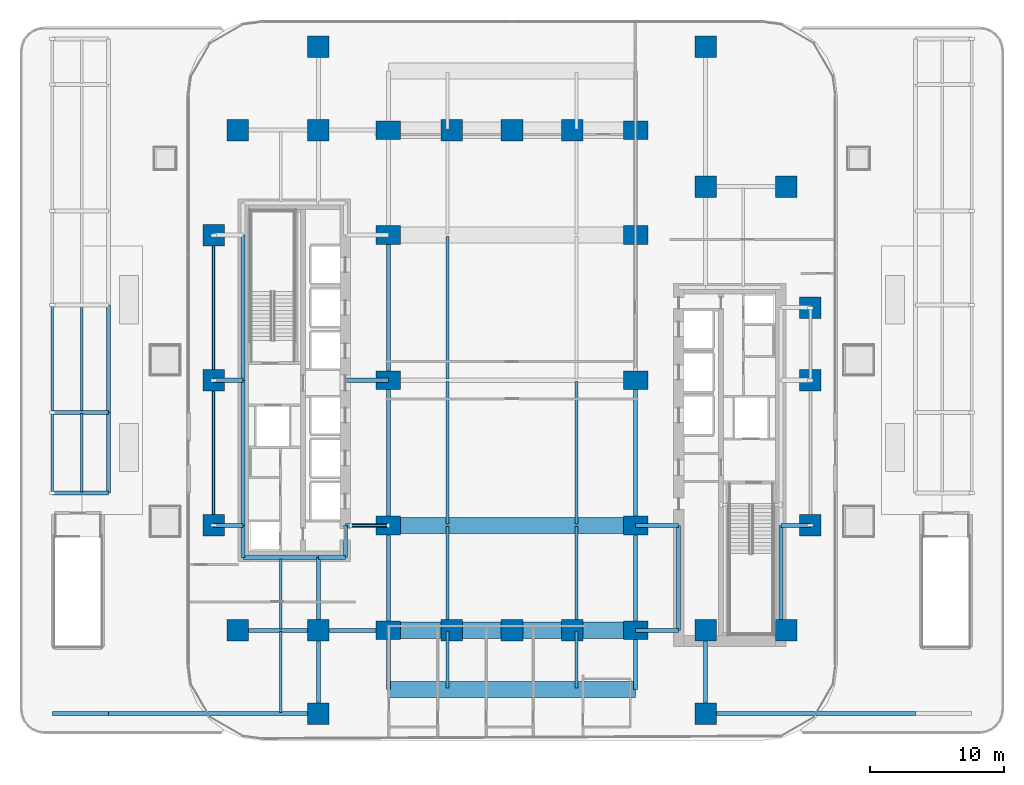
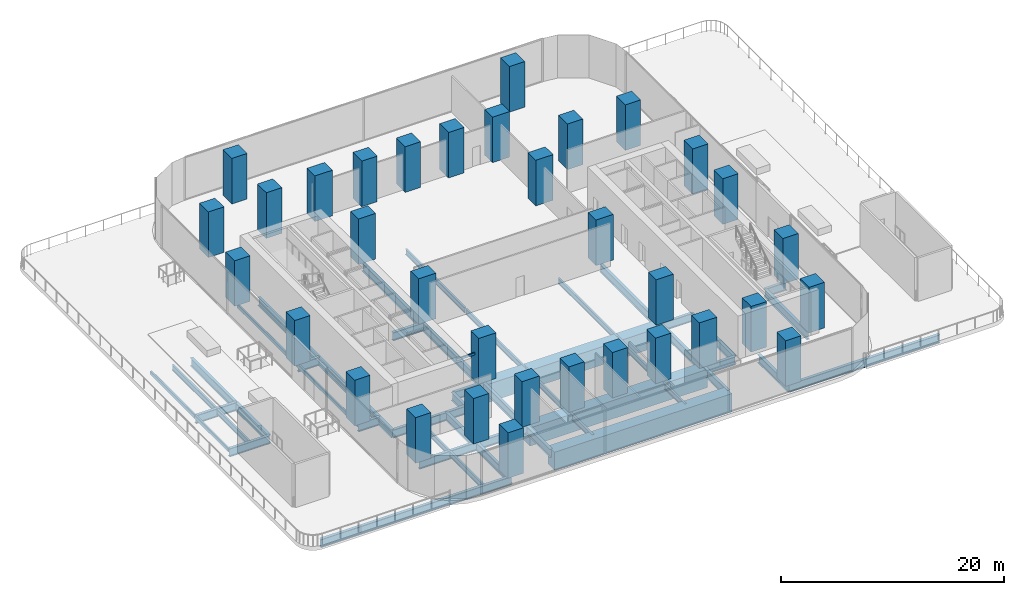
# One storey, part 1 of 21: 53 beams, 34 columns.
"""IFC4 building model written with IfcOpenShell, lengths in metres."""

from ifc_helpers import new_model, si_unit, direction, frame, origin, origin_2d, place, context, subcontext, project, spatial, rectangle, hollow_rectangle, i_section, extrude, material, material_profile, profile_set, type_object, element, save


model = new_model("IFC4")

# Units and contexts
model_context = context("Model", 3, precision=1e-05, world=origin(), true_north=direction((0.0, 1.0)))
body_context = subcontext(model_context, "Body", "Model", "MODEL_VIEW")
ifc_project = project(units=[si_unit("LENGTHUNIT", "METRE"), si_unit("AREAUNIT", "SQUARE_METRE"), si_unit("VOLUMEUNIT", "CUBIC_METRE"), si_unit("PLANEANGLEUNIT", "RADIAN"), si_unit("MASSUNIT", "GRAM", prefix="KILO")], contexts=[model_context])

# Site, building, storey
site_placement = place(None, origin())
site = spatial("IfcSite", under=ifc_project, at=site_placement, CompositionType="ELEMENT")
building_placement = place(site_placement, origin())
building = spatial("IfcBuilding", under=site, at=building_placement, Name="Khairoan Windgate Tower", CompositionType="ELEMENT")
storey_placement = place(building_placement, frame((0.0, 0.0, 21.0)))
storey = spatial("IfcBuildingStorey", under=building, at=storey_placement, Name="L05", CompositionType="ELEMENT", Elevation=21.0)

# Columns
ifc_material_1 = material(Name="Concrete C70/85", Category="concrete")
ifc_material_profile_1 = material_profile(ifc_material_1, rectangle(XDim=1.800048828125, YDim=1.39990234375, at=origin_2d()))
ifc_profile_set_1 = profile_set([ifc_material_profile_1], Name="Concrete C70/85")
column_type_1 = type_object("IfcColumnType", Name="Column C-AP1 RC1800x1400", PredefinedType="COLUMN", material=ifc_profile_set_1)
for number, where, z_axis, x_axis, name in (
    (1, (-9.199951171875, -18.60009765625, 0.0), (0.0, 0.0, 1.0), (1.0, 0.0, 0.0), "Column L05-01"),
    (2, (-9.199951171875, -10.800048828125, 0.0), (0.0, 0.0, 1.0), (1.0, 0.0, 0.0), "Column L05-02"),
    (3, (-9.199951171875, 0.0, 0.0), (0.0, 0.0, 1.0), (1.0, 0.0, 0.0), "Column L05-03"),
    (4, (-9.199951171875, 10.800048828125, 0.0), (0.0, 0.0, 1.0), (1.0, 0.0, 0.0), "Column L05-04"),
    (5, (-9.199951171875, 18.60009765625, 0.0), (0.0, 0.0, 1.0), (1.0, 0.0, 0.0), "Column L05-05"),
    (6, (9.199951171875, -18.60009765625, 0.0), (0.0, 0.0, 1.0), (1.0, 0.0, 0.0), "Column L05-06"),
    (7, (9.199951171875, -10.800048828125, 0.0), (0.0, 0.0, 1.0), (1.0, 0.0, 0.0), "Column L05-07"),
    (8, (9.199951171875, 0.0, 0.0), (0.0, 0.0, 1.0), (1.0, 0.0, 0.0), "Column L05-08"),
    (9, (9.199951171875, 10.800048828125, 0.0), (0.0, 0.0, 1.0), (1.0, 0.0, 0.0), "Column L05-09"),
    (10, (9.199951171875, 18.60009765625, 0.0), (0.0, 0.0, 1.0), (1.0, 0.0, 0.0), "Column L05-10"),
):
    element("IfcColumn", number, at=place(storey_placement, frame(where, z_axis=z_axis, x_axis=x_axis)), inside=storey, type_object=column_type_1, Name=name, PredefinedType="COLUMN", context=body_context, shape_type="SweptSolid", body=[
        extrude(rectangle(XDim=1.800048828125, YDim=1.39990234375, at=origin_2d()), origin(), (0.0, 0.0, 1.0), 5.0),
    ])
ifc_material_2 = material(Name="Concrete C70/85", Category="concrete")
ifc_material_profile_2 = material_profile(ifc_material_2, rectangle(XDim=1.60009765625, YDim=1.60009765625, at=origin_2d()))
ifc_profile_set_2 = profile_set([ifc_material_profile_2], Name="Concrete C70/85")
column_type_2 = type_object("IfcColumnType", Name="Column C-T1 RC1600x1600", PredefinedType="COLUMN", material=ifc_profile_set_2)
for number, where, z_axis, x_axis, name in (
    (11, (-20.39990234375, -18.60009765625, 0.0), (0.0, 0.0, 1.0), (1.0, 0.0, 0.0), "Column L05-11"),
    (12, (-20.39990234375, 18.60009765625, 0.0), (0.0, 0.0, 1.0), (1.0, 0.0, 0.0), "Column L05-12"),
    (13, (20.39990234375, -18.60009765625, 0.0), (0.0, 0.0, 1.0), (1.0, 0.0, 0.0), "Column L05-13"),
    (14, (20.39990234375, 14.39990234375, 0.0), (0.0, 0.0, 1.0), (1.0, 0.0, 0.0), "Column L05-14"),
    (15, (-14.39990234375, -18.60009765625, 0.0), (0.0, 0.0, 1.0), (1.0, 0.0, 0.0), "Column L05-15"),
    (16, (-14.39990234375, 18.60009765625, 0.0), (0.0, 0.0, 1.0), (1.0, 0.0, 0.0), "Column L05-16"),
    (17, (14.39990234375, -18.60009765625, 0.0), (0.0, 0.0, 1.0), (1.0, 0.0, 0.0), "Column L05-17"),
    (18, (14.39990234375, 14.39990234375, 0.0), (0.0, 0.0, 1.0), (1.0, 0.0, 0.0), "Column L05-18"),
    (19, (-4.5, -18.60009765625, 0.0), (0.0, 0.0, 1.0), (1.0, 0.0, 0.0), "Column L05-19"),
    (20, (0.0, -18.60009765625, 0.0), (0.0, 0.0, 1.0), (1.0, 0.0, 0.0), "Column L05-20"),
    (21, (4.5, -18.60009765625, 0.0), (0.0, 0.0, 1.0), (1.0, 0.0, 0.0), "Column L05-21"),
    (22, (-4.5, 18.60009765625, 0.0), (0.0, 0.0, 1.0), (1.0, 0.0, 0.0), "Column L05-22"),
    (23, (0.0, 18.60009765625, 0.0), (0.0, 0.0, 1.0), (1.0, 0.0, 0.0), "Column L05-23"),
    (24, (4.5, 18.60009765625, 0.0), (0.0, 0.0, 1.0), (1.0, 0.0, 0.0), "Column L05-24"),
    (25, (-22.199951171875, -10.800048828125, 0.0), (0.0, 0.0, 1.0), (1.0, 0.0, 0.0), "Column L05-25"),
    (26, (-22.199951171875, 0.0, 0.0), (0.0, 0.0, 1.0), (1.0, 0.0, 0.0), "Column L05-26"),
    (27, (-22.199951171875, 10.800048828125, 0.0), (0.0, 0.0, 1.0), (1.0, 0.0, 0.0), "Column L05-27"),
    (28, (22.199951171875, -10.800048828125, 0.0), (0.0, 0.0, 1.0), (1.0, 0.0, 0.0), "Column L05-28"),
    (29, (22.199951171875, 0.0, 0.0), (0.0, 0.0, 1.0), (1.0, 0.0, 0.0), "Column L05-29"),
    (30, (22.199951171875, 5.39990234375, 0.0), (0.0, 0.0, 1.0), (1.0, 0.0, 0.0), "Column L05-30"),
    (31, (-14.39990234375, -24.800048828125, 0.0), (0.0, 0.0, 1.0), (1.0, 0.0, 0.0), "Column L05-31"),
    (32, (-14.39990234375, 24.800048828125, 0.0), (0.0, 0.0, 1.0), (1.0, 0.0, 0.0), "Column L05-32"),
    (33, (14.39990234375, -24.800048828125, 0.0), (0.0, 0.0, 1.0), (1.0, 0.0, 0.0), "Column L05-33"),
    (34, (14.39990234375, 24.800048828125, 0.0), (0.0, 0.0, 1.0), (1.0, 0.0, 0.0), "Column L05-34"),
):
    element("IfcColumn", number, at=place(storey_placement, frame(where, z_axis=z_axis, x_axis=x_axis)), inside=storey, type_object=column_type_2, Name=name, PredefinedType="COLUMN", context=body_context, shape_type="SweptSolid", body=[
        extrude(rectangle(XDim=1.60009765625, YDim=1.60009765625, at=origin_2d()), origin(), (0.0, 0.0, 1.0), 5.0),
    ])

# Beams
ifc_material_3 = material(Name="Concrete C50/60", Category="concrete")
ifc_material_profile_3 = material_profile(ifc_material_3, rectangle(XDim=1.199951171875, YDim=2.0, at=origin_2d()))
ifc_profile_set_3 = profile_set([ifc_material_profile_3], Name="Concrete C50/60")
beam_type_1 = type_object("IfcBeamType", Name="Arch Transfer Girder TG1 RC1200x2000", PredefinedType="BEAM", material=ifc_profile_set_3)
for number, where, z_axis, x_axis, name in (
    (35, (-9.199951171875, -23.0, -1.449951171875), (1.0, 0.0, 0.0), (0.0, 1.0, 0.0), "Podium Arch Transfer Girder TG1-01"),
    (36, (-9.199951171875, -18.60009765625, -1.449951171875), (1.0, 0.0, 0.0), (0.0, 1.0, 0.0), "Podium Arch Transfer Girder TG1-02"),
    (37, (-9.199951171875, -10.800048828125, -1.449951171875), (1.0, 0.0, 0.0), (0.0, 1.0, 0.0), "Podium Arch Transfer Girder TG1-03"),
):
    element("IfcBeam", number, at=place(storey_placement, frame(where, z_axis=z_axis, x_axis=x_axis)), inside=storey, type_object=beam_type_1, Name=name, PredefinedType="BEAM", context=body_context, shape_type="SweptSolid", body=[
        extrude(rectangle(XDim=1.199951171875, YDim=2.0, at=origin_2d()), origin(), (0.0, 0.0, 1.0), 18.39990234375),
    ])
ifc_material_4 = material(Name="Steel S355", Category="steel")
ifc_material_profile_4 = material_profile(ifc_material_4, i_section(OverallWidth=0.300048828125, OverallDepth=0.89990234375, WebThickness=0.01611328125, FlangeThickness=0.028076171875, FilletRadius=0.028076171875, at=origin_2d()))
ifc_profile_set_4 = profile_set([ifc_material_profile_4], Name="Steel S355")
beam_type_2 = type_object("IfcBeamType", Name="Beam B-G1 H900x300x16x28", PredefinedType="BEAM", material=ifc_profile_set_4)
beam_1_placement = place(storey_placement, frame((-34.199951171875, -24.800048828125, -0.89990234375), z_axis=(1.0, 0.0, 0.0), x_axis=(0.0, 1.0, 0.0)))
element("IfcBeam", 38, at=beam_1_placement, inside=storey, type_object=beam_type_2, Name="L05 E-W Primary Girder 01", PredefinedType="BEAM", context=body_context, shape_type="SweptSolid", body=[
    extrude(i_section(OverallWidth=0.300048828125, OverallDepth=0.89990234375, WebThickness=0.01611328125, FlangeThickness=0.028076171875, FilletRadius=0.028076171875, at=origin_2d()), origin(), (0.0, 0.0, 1.0), 4.199951171875),
])
for number, where, z_axis, x_axis, name in (
    (39, (-30.0, -24.800048828125, -0.89990234375), (1.0, 0.0, 0.0), (0.0, 1.0, 0.0), "L05 E-W Primary Girder 02"),
    (40, (14.39990234375, -24.800048828125, -0.89990234375), (1.0, 0.0, 0.0), (0.0, 1.0, 0.0), "L05 E-W Primary Girder 03"),
):
    element("IfcBeam", number, at=place(storey_placement, frame(where, z_axis=z_axis, x_axis=x_axis)), inside=storey, type_object=beam_type_2, Name=name, PredefinedType="BEAM", context=body_context, shape_type="SweptSolid", body=[
        extrude(i_section(OverallWidth=0.300048828125, OverallDepth=0.89990234375, WebThickness=0.01611328125, FlangeThickness=0.028076171875, FilletRadius=0.028076171875, at=origin_2d()), origin(), (0.0, 0.0, 1.0), 15.60009765625),
    ])
beam_2_placement = place(storey_placement, frame((-20.39990234375, -18.60009765625, -0.89990234375), z_axis=(1.0, 0.0, 0.0), x_axis=(0.0, 1.0, 0.0)))
element("IfcBeam", 41, at=beam_2_placement, inside=storey, type_object=beam_type_2, Name="L05 E-W Primary Girder 05", PredefinedType="BEAM", context=body_context, shape_type="SweptSolid", body=[
    extrude(i_section(OverallWidth=0.300048828125, OverallDepth=0.89990234375, WebThickness=0.01611328125, FlangeThickness=0.028076171875, FilletRadius=0.028076171875, at=origin_2d()), origin(), (0.0, 0.0, 1.0), 6.0),
])
beam_3_placement = place(storey_placement, frame((-14.39990234375, -18.60009765625, -0.89990234375), z_axis=(1.0, 0.0, 0.0), x_axis=(0.0, 1.0, 0.0)))
element("IfcBeam", 42, at=beam_3_placement, inside=storey, type_object=beam_type_2, Name="L05 E-W Primary Girder 06", PredefinedType="BEAM", context=body_context, shape_type="SweptSolid", body=[
    extrude(i_section(OverallWidth=0.300048828125, OverallDepth=0.89990234375, WebThickness=0.01611328125, FlangeThickness=0.028076171875, FilletRadius=0.028076171875, at=origin_2d()), origin(), (0.0, 0.0, 1.0), 5.199951171875),
])
beam_4_placement = place(storey_placement, frame((9.199951171875, -18.60009765625, -0.89990234375), z_axis=(1.0, 0.0, 0.0), x_axis=(0.0, 1.0, 0.0)))
element("IfcBeam", 43, at=beam_4_placement, inside=storey, type_object=beam_type_2, Name="L05 E-W Primary Girder 07", PredefinedType="BEAM", context=body_context, shape_type="SweptSolid", body=[
    extrude(i_section(OverallWidth=0.300048828125, OverallDepth=0.89990234375, WebThickness=0.01611328125, FlangeThickness=0.028076171875, FilletRadius=0.028076171875, at=origin_2d()), origin(), (0.0, 0.0, 1.0), 3.199951171875),
])
beam_5_placement = place(storey_placement, frame((-20.0, -13.199951171875, -0.89990234375), z_axis=(1.0, 0.0, 0.0), x_axis=(0.0, 1.0, 0.0)))
element("IfcBeam", 44, at=beam_5_placement, inside=storey, type_object=beam_type_2, Name="L05 E-W Primary Girder 08", PredefinedType="BEAM", context=body_context, shape_type="SweptSolid", body=[
    extrude(i_section(OverallWidth=0.300048828125, OverallDepth=0.89990234375, WebThickness=0.01611328125, FlangeThickness=0.028076171875, FilletRadius=0.028076171875, at=origin_2d()), origin(), (0.0, 0.0, 1.0), 5.60009765625),
])
beam_6_placement = place(storey_placement, frame((-14.39990234375, -13.199951171875, -0.89990234375), z_axis=(1.0, 0.0, 0.0), x_axis=(0.0, 1.0, 0.0)))
element("IfcBeam", 45, at=beam_6_placement, inside=storey, type_object=beam_type_2, Name="L05 E-W Primary Girder 09", PredefinedType="BEAM", context=body_context, shape_type="SweptSolid", body=[
    extrude(i_section(OverallWidth=0.300048828125, OverallDepth=0.89990234375, WebThickness=0.01611328125, FlangeThickness=0.028076171875, FilletRadius=0.028076171875, at=origin_2d()), origin(), (0.0, 0.0, 1.0), 2.0),
])
beam_7_placement = place(storey_placement, frame((-22.199951171875, -10.800048828125, -0.89990234375), z_axis=(1.0, 0.0, 0.0), x_axis=(0.0, 1.0, 0.0)))
element("IfcBeam", 46, at=beam_7_placement, inside=storey, type_object=beam_type_2, Name="L05 E-W Primary Girder 10", PredefinedType="BEAM", context=body_context, shape_type="SweptSolid", body=[
    extrude(i_section(OverallWidth=0.300048828125, OverallDepth=0.89990234375, WebThickness=0.01611328125, FlangeThickness=0.028076171875, FilletRadius=0.028076171875, at=origin_2d()), origin(), (0.0, 0.0, 1.0), 2.199951171875),
])
for number, where, z_axis, x_axis, name in (
    (47, (-12.39990234375, -10.800048828125, -0.89990234375), (1.0, 0.0, 0.0), (0.0, 1.0, 0.0), "L05 E-W Primary Girder 11"),
    (48, (9.199951171875, -10.800048828125, -0.89990234375), (1.0, 0.0, 0.0), (0.0, 1.0, 0.0), "L05 E-W Primary Girder 12"),
):
    element("IfcBeam", number, at=place(storey_placement, frame(where, z_axis=z_axis, x_axis=x_axis)), inside=storey, type_object=beam_type_2, Name=name, PredefinedType="BEAM", context=body_context, shape_type="SweptSolid", body=[
        extrude(i_section(OverallWidth=0.300048828125, OverallDepth=0.89990234375, WebThickness=0.01611328125, FlangeThickness=0.028076171875, FilletRadius=0.028076171875, at=origin_2d()), origin(), (0.0, 0.0, 1.0), 3.199951171875),
    ])
beam_8_placement = place(storey_placement, frame((20.0, -10.800048828125, -0.89990234375), z_axis=(1.0, 0.0, 0.0), x_axis=(0.0, 1.0, 0.0)))
element("IfcBeam", 49, at=beam_8_placement, inside=storey, type_object=beam_type_2, Name="L05 E-W Primary Girder 13", PredefinedType="BEAM", context=body_context, shape_type="SweptSolid", body=[
    extrude(i_section(OverallWidth=0.300048828125, OverallDepth=0.89990234375, WebThickness=0.01611328125, FlangeThickness=0.028076171875, FilletRadius=0.028076171875, at=origin_2d()), origin(), (0.0, 0.0, 1.0), 2.199951171875),
])
for number, where, z_axis, x_axis, name in (
    (50, (-34.199951171875, -8.39990234375, -0.89990234375), (1.0, 0.0, 0.0), (0.0, 1.0, 0.0), "L05 E-W Primary Girder 14"),
    (51, (-34.199951171875, -2.39990234375, -0.89990234375), (1.0, 0.0, 0.0), (0.0, 1.0, 0.0), "L05 E-W Primary Girder 16"),
):
    element("IfcBeam", number, at=place(storey_placement, frame(where, z_axis=z_axis, x_axis=x_axis)), inside=storey, type_object=beam_type_2, Name=name, PredefinedType="BEAM", context=body_context, shape_type="SweptSolid", body=[
        extrude(i_section(OverallWidth=0.300048828125, OverallDepth=0.89990234375, WebThickness=0.01611328125, FlangeThickness=0.028076171875, FilletRadius=0.028076171875, at=origin_2d()), origin(), (0.0, 0.0, 1.0), 4.199951171875),
    ])
beam_9_placement = place(storey_placement, frame((-22.199951171875, 0.0, -0.89990234375), z_axis=(1.0, 0.0, 0.0), x_axis=(0.0, 1.0, 0.0)))
element("IfcBeam", 52, at=beam_9_placement, inside=storey, type_object=beam_type_2, Name="L05 E-W Primary Girder 18", PredefinedType="BEAM", context=body_context, shape_type="SweptSolid", body=[
    extrude(i_section(OverallWidth=0.300048828125, OverallDepth=0.89990234375, WebThickness=0.01611328125, FlangeThickness=0.028076171875, FilletRadius=0.028076171875, at=origin_2d()), origin(), (0.0, 0.0, 1.0), 2.199951171875),
])
beam_10_placement = place(storey_placement, frame((-12.39990234375, 0.0, -0.89990234375), z_axis=(1.0, 0.0, 0.0), x_axis=(0.0, 1.0, 0.0)))
element("IfcBeam", 53, at=beam_10_placement, inside=storey, type_object=beam_type_2, Name="L05 E-W Primary Girder 19", PredefinedType="BEAM", context=body_context, shape_type="SweptSolid", body=[
    extrude(i_section(OverallWidth=0.300048828125, OverallDepth=0.89990234375, WebThickness=0.01611328125, FlangeThickness=0.028076171875, FilletRadius=0.028076171875, at=origin_2d()), origin(), (0.0, 0.0, 1.0), 3.199951171875),
])
beam_11_placement = place(storey_placement, frame((-30.0, -8.39990234375, -0.89990234375), z_axis=(0.0, 1.0, 0.0), x_axis=(-1.0, 0.0, 0.0)))
element("IfcBeam", 54, at=beam_11_placement, inside=storey, type_object=beam_type_2, Name="L05 N-S Primary Beam 45", PredefinedType="BEAM", context=body_context, shape_type="SweptSolid", body=[
    extrude(i_section(OverallWidth=0.300048828125, OverallDepth=0.89990234375, WebThickness=0.01611328125, FlangeThickness=0.028076171875, FilletRadius=0.028076171875, at=origin_2d()), origin(), (0.0, 0.0, 1.0), 6.0),
])
beam_12_placement = place(storey_placement, frame((-30.0, -2.39990234375, -0.89990234375), z_axis=(0.0, 1.0, 0.0), x_axis=(-1.0, 0.0, 0.0)))
element("IfcBeam", 55, at=beam_12_placement, inside=storey, type_object=beam_type_2, Name="L05 N-S Primary Beam 46", PredefinedType="BEAM", context=body_context, shape_type="SweptSolid", body=[
    extrude(i_section(OverallWidth=0.300048828125, OverallDepth=0.89990234375, WebThickness=0.01611328125, FlangeThickness=0.028076171875, FilletRadius=0.028076171875, at=origin_2d()), origin(), (0.0, 0.0, 1.0), 8.0),
])
beam_13_placement = place(storey_placement, frame((-20.0, -13.199951171875, -0.89990234375), z_axis=(0.0, 1.0, 0.0), x_axis=(-1.0, 0.0, 0.0)))
element("IfcBeam", 56, at=beam_13_placement, inside=storey, type_object=beam_type_2, Name="L05 N-S Primary Beam 52", PredefinedType="BEAM", context=body_context, shape_type="SweptSolid", body=[
    extrude(i_section(OverallWidth=0.300048828125, OverallDepth=0.89990234375, WebThickness=0.01611328125, FlangeThickness=0.028076171875, FilletRadius=0.028076171875, at=origin_2d()), origin(), (0.0, 0.0, 1.0), 2.39990234375),
])
for number, where, z_axis, x_axis, name in (
    (57, (-20.0, -10.800048828125, -0.89990234375), (0.0, 1.0, 0.0), (-1.0, 0.0, 0.0), "L05 N-S Primary Beam 53"),
    (58, (-20.0, 0.0, -0.89990234375), (0.0, 1.0, 0.0), (-1.0, 0.0, 0.0), "L05 N-S Primary Beam 54"),
):
    element("IfcBeam", number, at=place(storey_placement, frame(where, z_axis=z_axis, x_axis=x_axis)), inside=storey, type_object=beam_type_2, Name=name, PredefinedType="BEAM", context=body_context, shape_type="SweptSolid", body=[
        extrude(i_section(OverallWidth=0.300048828125, OverallDepth=0.89990234375, WebThickness=0.01611328125, FlangeThickness=0.028076171875, FilletRadius=0.028076171875, at=origin_2d()), origin(), (0.0, 0.0, 1.0), 10.800048828125),
    ])
beam_14_placement = place(storey_placement, frame((-14.39990234375, -24.800048828125, -0.89990234375), z_axis=(0.0, 1.0, 0.0), x_axis=(-1.0, 0.0, 0.0)))
element("IfcBeam", 59, at=beam_14_placement, inside=storey, type_object=beam_type_2, Name="L05 N-S Primary Beam 56", PredefinedType="BEAM", context=body_context, shape_type="SweptSolid", body=[
    extrude(i_section(OverallWidth=0.300048828125, OverallDepth=0.89990234375, WebThickness=0.01611328125, FlangeThickness=0.028076171875, FilletRadius=0.028076171875, at=origin_2d()), origin(), (0.0, 0.0, 1.0), 6.199951171875),
])
beam_15_placement = place(storey_placement, frame((-14.39990234375, -18.60009765625, -0.89990234375), z_axis=(0.0, 1.0, 0.0), x_axis=(-1.0, 0.0, 0.0)))
element("IfcBeam", 60, at=beam_15_placement, inside=storey, type_object=beam_type_2, Name="L05 N-S Primary Beam 57", PredefinedType="BEAM", context=body_context, shape_type="SweptSolid", body=[
    extrude(i_section(OverallWidth=0.300048828125, OverallDepth=0.89990234375, WebThickness=0.01611328125, FlangeThickness=0.028076171875, FilletRadius=0.028076171875, at=origin_2d()), origin(), (0.0, 0.0, 1.0), 5.400146484375),
])
beam_16_placement = place(storey_placement, frame((-12.39990234375, -13.199951171875, -0.89990234375), z_axis=(0.0, 1.0, 0.0), x_axis=(-1.0, 0.0, 0.0)))
element("IfcBeam", 61, at=beam_16_placement, inside=storey, type_object=beam_type_2, Name="L05 N-S Primary Beam 60", PredefinedType="BEAM", context=body_context, shape_type="SweptSolid", body=[
    extrude(i_section(OverallWidth=0.300048828125, OverallDepth=0.89990234375, WebThickness=0.01611328125, FlangeThickness=0.028076171875, FilletRadius=0.028076171875, at=origin_2d()), origin(), (0.0, 0.0, 1.0), 2.39990234375),
])
beam_17_placement = place(storey_placement, frame((-9.199951171875, -23.0, -0.89990234375), z_axis=(0.0, 1.0, 0.0), x_axis=(-1.0, 0.0, 0.0)))
element("IfcBeam", 62, at=beam_17_placement, inside=storey, type_object=beam_type_2, Name="L05 N-S Primary Beam 62", PredefinedType="BEAM", context=body_context, shape_type="SweptSolid", body=[
    extrude(i_section(OverallWidth=0.300048828125, OverallDepth=0.89990234375, WebThickness=0.01611328125, FlangeThickness=0.028076171875, FilletRadius=0.028076171875, at=origin_2d()), origin(), (0.0, 0.0, 1.0), 4.39990234375),
])
beam_18_placement = place(storey_placement, frame((-9.199951171875, -18.60009765625, -0.89990234375), z_axis=(0.0, 1.0, 0.0), x_axis=(-1.0, 0.0, 0.0)))
element("IfcBeam", 63, at=beam_18_placement, inside=storey, type_object=beam_type_2, Name="L05 N-S Primary Beam 63", PredefinedType="BEAM", context=body_context, shape_type="SweptSolid", body=[
    extrude(i_section(OverallWidth=0.300048828125, OverallDepth=0.89990234375, WebThickness=0.01611328125, FlangeThickness=0.028076171875, FilletRadius=0.028076171875, at=origin_2d()), origin(), (0.0, 0.0, 1.0), 7.800048828125),
])
for number, where, z_axis, x_axis, name in (
    (64, (-9.199951171875, -10.800048828125, -0.89990234375), (0.0, 1.0, 0.0), (-1.0, 0.0, 0.0), "L05 N-S Primary Beam 64"),
    (65, (-9.199951171875, 0.0, -0.89990234375), (0.0, 1.0, 0.0), (-1.0, 0.0, 0.0), "L05 N-S Primary Beam 65"),
):
    element("IfcBeam", number, at=place(storey_placement, frame(where, z_axis=z_axis, x_axis=x_axis)), inside=storey, type_object=beam_type_2, Name=name, PredefinedType="BEAM", context=body_context, shape_type="SweptSolid", body=[
        extrude(i_section(OverallWidth=0.300048828125, OverallDepth=0.89990234375, WebThickness=0.01611328125, FlangeThickness=0.028076171875, FilletRadius=0.028076171875, at=origin_2d()), origin(), (0.0, 0.0, 1.0), 10.800048828125),
    ])
beam_19_placement = place(storey_placement, frame((9.199951171875, -23.0, -0.89990234375), z_axis=(0.0, 1.0, 0.0), x_axis=(-1.0, 0.0, 0.0)))
element("IfcBeam", 66, at=beam_19_placement, inside=storey, type_object=beam_type_2, Name="L05 N-S Primary Beam 68", PredefinedType="BEAM", context=body_context, shape_type="SweptSolid", body=[
    extrude(i_section(OverallWidth=0.300048828125, OverallDepth=0.89990234375, WebThickness=0.01611328125, FlangeThickness=0.028076171875, FilletRadius=0.028076171875, at=origin_2d()), origin(), (0.0, 0.0, 1.0), 4.39990234375),
])
beam_20_placement = place(storey_placement, frame((9.199951171875, -18.60009765625, -0.89990234375), z_axis=(0.0, 1.0, 0.0), x_axis=(-1.0, 0.0, 0.0)))
element("IfcBeam", 67, at=beam_20_placement, inside=storey, type_object=beam_type_2, Name="L05 N-S Primary Beam 69", PredefinedType="BEAM", context=body_context, shape_type="SweptSolid", body=[
    extrude(i_section(OverallWidth=0.300048828125, OverallDepth=0.89990234375, WebThickness=0.01611328125, FlangeThickness=0.028076171875, FilletRadius=0.028076171875, at=origin_2d()), origin(), (0.0, 0.0, 1.0), 7.800048828125),
])
beam_21_placement = place(storey_placement, frame((9.199951171875, -10.800048828125, -0.89990234375), z_axis=(0.0, 1.0, 0.0), x_axis=(-1.0, 0.0, 0.0)))
element("IfcBeam", 68, at=beam_21_placement, inside=storey, type_object=beam_type_2, Name="L05 N-S Primary Beam 70", PredefinedType="BEAM", context=body_context, shape_type="SweptSolid", body=[
    extrude(i_section(OverallWidth=0.300048828125, OverallDepth=0.89990234375, WebThickness=0.01611328125, FlangeThickness=0.028076171875, FilletRadius=0.028076171875, at=origin_2d()), origin(), (0.0, 0.0, 1.0), 10.800048828125),
])
beam_22_placement = place(storey_placement, frame((12.39990234375, -18.60009765625, -0.89990234375), z_axis=(0.0, 1.0, 0.0), x_axis=(-1.0, 0.0, 0.0)))
element("IfcBeam", 69, at=beam_22_placement, inside=storey, type_object=beam_type_2, Name="L05 N-S Primary Beam 74", PredefinedType="BEAM", context=body_context, shape_type="SweptSolid", body=[
    extrude(i_section(OverallWidth=0.300048828125, OverallDepth=0.89990234375, WebThickness=0.01611328125, FlangeThickness=0.028076171875, FilletRadius=0.028076171875, at=origin_2d()), origin(), (0.0, 0.0, 1.0), 7.800048828125),
])
beam_23_placement = place(storey_placement, frame((14.39990234375, -24.800048828125, -0.89990234375), z_axis=(0.0, 1.0, 0.0), x_axis=(-1.0, 0.0, 0.0)))
element("IfcBeam", 70, at=beam_23_placement, inside=storey, type_object=beam_type_2, Name="L05 N-S Primary Beam 75", PredefinedType="BEAM", context=body_context, shape_type="SweptSolid", body=[
    extrude(i_section(OverallWidth=0.300048828125, OverallDepth=0.89990234375, WebThickness=0.01611328125, FlangeThickness=0.028076171875, FilletRadius=0.028076171875, at=origin_2d()), origin(), (0.0, 0.0, 1.0), 5.400146484375),
])
beam_24_placement = place(storey_placement, frame((20.0, -18.60009765625, -0.89990234375), z_axis=(0.0, 1.0, 0.0), x_axis=(-1.0, 0.0, 0.0)))
element("IfcBeam", 71, at=beam_24_placement, inside=storey, type_object=beam_type_2, Name="L05 N-S Primary Beam 78", PredefinedType="BEAM", context=body_context, shape_type="SweptSolid", body=[
    extrude(i_section(OverallWidth=0.300048828125, OverallDepth=0.89990234375, WebThickness=0.01611328125, FlangeThickness=0.028076171875, FilletRadius=0.028076171875, at=origin_2d()), origin(), (0.0, 0.0, 1.0), 7.800048828125),
])
ifc_material_5 = material(Name="Steel S355", Category="steel")
ifc_material_profile_5 = material_profile(ifc_material_5, i_section(OverallWidth=0.199951171875, OverallDepth=0.60009765625, WebThickness=0.010986328125, FlangeThickness=0.01708984375, FilletRadius=0.02197265625, at=origin_2d()))
ifc_profile_set_5 = profile_set([ifc_material_profile_5], Name="Steel S355")
beam_type_3 = type_object("IfcBeamType", Name="Beam J-S1 H600x200x11x17", PredefinedType="JOIST", material=ifc_profile_set_5)
beam_25_placement = place(storey_placement, frame((-32.0, -8.31005859375, -0.75), z_axis=(0.0, 1.0, 0.0), x_axis=(-1.0, 0.0, 0.0)))
element("IfcBeam", 72, at=beam_25_placement, inside=storey, type_object=beam_type_3, Name="L05 Secondary Floor Joist 01", PredefinedType="JOIST", context=body_context, shape_type="SweptSolid", body=[
    extrude(i_section(OverallWidth=0.199951171875, OverallDepth=0.60009765625, WebThickness=0.010986328125, FlangeThickness=0.01708984375, FilletRadius=0.02197265625, at=origin_2d()), origin(), (0.0, 0.0, 1.0), 5.820068359375),
])
beam_26_placement = place(storey_placement, frame((-32.0, -2.31005859375, -0.75), z_axis=(0.0, 1.0, 0.0), x_axis=(-1.0, 0.0, 0.0)))
element("IfcBeam", 73, at=beam_26_placement, inside=storey, type_object=beam_type_3, Name="L05 Secondary Floor Joist 02", PredefinedType="JOIST", context=body_context, shape_type="SweptSolid", body=[
    extrude(i_section(OverallWidth=0.199951171875, OverallDepth=0.60009765625, WebThickness=0.010986328125, FlangeThickness=0.01708984375, FilletRadius=0.02197265625, at=origin_2d()), origin(), (0.0, 0.0, 1.0), 7.820068359375),
])
beam_27_placement = place(storey_placement, frame((-17.199951171875, -24.7099609375, -0.75), z_axis=(0.0, 1.0, 0.0), x_axis=(-1.0, 0.0, 0.0)))
element("IfcBeam", 74, at=beam_27_placement, inside=storey, type_object=beam_type_3, Name="L05 Secondary Floor Joist 06", PredefinedType="JOIST", context=body_context, shape_type="SweptSolid", body=[
    extrude(i_section(OverallWidth=0.199951171875, OverallDepth=0.60009765625, WebThickness=0.010986328125, FlangeThickness=0.01708984375, FilletRadius=0.02197265625, at=origin_2d()), origin(), (0.0, 0.0, 1.0), 6.02001953125),
])
beam_28_placement = place(storey_placement, frame((-17.199951171875, -18.510009765625, -0.75), z_axis=(0.0, 1.0, 0.0), x_axis=(-1.0, 0.0, 0.0)))
element("IfcBeam", 75, at=beam_28_placement, inside=storey, type_object=beam_type_3, Name="L05 Secondary Floor Joist 07", PredefinedType="JOIST", context=body_context, shape_type="SweptSolid", body=[
    extrude(i_section(OverallWidth=0.199951171875, OverallDepth=0.60009765625, WebThickness=0.010986328125, FlangeThickness=0.01708984375, FilletRadius=0.02197265625, at=origin_2d()), origin(), (0.0, 0.0, 1.0), 5.219970703125),
])
beam_29_placement = place(storey_placement, frame((-4.800048828125, -22.909912109375, -0.75), z_axis=(0.0, 1.0, 0.0), x_axis=(-1.0, 0.0, 0.0)))
element("IfcBeam", 76, at=beam_29_placement, inside=storey, type_object=beam_type_3, Name="L05 Secondary Floor Joist 09", PredefinedType="JOIST", context=body_context, shape_type="SweptSolid", body=[
    extrude(i_section(OverallWidth=0.199951171875, OverallDepth=0.60009765625, WebThickness=0.010986328125, FlangeThickness=0.01708984375, FilletRadius=0.02197265625, at=origin_2d()), origin(), (0.0, 0.0, 1.0), 4.219970703125),
])
beam_30_placement = place(storey_placement, frame((-4.800048828125, -18.510009765625, -0.75), z_axis=(0.0, 1.0, 0.0), x_axis=(-1.0, 0.0, 0.0)))
element("IfcBeam", 77, at=beam_30_placement, inside=storey, type_object=beam_type_3, Name="L05 Secondary Floor Joist 10", PredefinedType="JOIST", context=body_context, shape_type="SweptSolid", body=[
    extrude(i_section(OverallWidth=0.199951171875, OverallDepth=0.60009765625, WebThickness=0.010986328125, FlangeThickness=0.01708984375, FilletRadius=0.02197265625, at=origin_2d()), origin(), (0.0, 0.0, 1.0), 7.6201171875),
])
for number, where, z_axis, x_axis, name in (
    (78, (-4.800048828125, -10.7099609375, -0.75), (0.0, 1.0, 0.0), (-1.0, 0.0, 0.0), "L05 Secondary Floor Joist 11"),
    (79, (-4.800048828125, 0.090087890625, -0.75), (0.0, 1.0, 0.0), (-1.0, 0.0, 0.0), "L05 Secondary Floor Joist 12"),
):
    element("IfcBeam", number, at=place(storey_placement, frame(where, z_axis=z_axis, x_axis=x_axis)), inside=storey, type_object=beam_type_3, Name=name, PredefinedType="JOIST", context=body_context, shape_type="SweptSolid", body=[
        extrude(i_section(OverallWidth=0.199951171875, OverallDepth=0.60009765625, WebThickness=0.010986328125, FlangeThickness=0.01708984375, FilletRadius=0.02197265625, at=origin_2d()), origin(), (0.0, 0.0, 1.0), 10.619873046875),
    ])
beam_31_placement = place(storey_placement, frame((4.800048828125, -22.909912109375, -0.75), z_axis=(0.0, 1.0, 0.0), x_axis=(-1.0, 0.0, 0.0)))
element("IfcBeam", 80, at=beam_31_placement, inside=storey, type_object=beam_type_3, Name="L05 Secondary Floor Joist 15", PredefinedType="JOIST", context=body_context, shape_type="SweptSolid", body=[
    extrude(i_section(OverallWidth=0.199951171875, OverallDepth=0.60009765625, WebThickness=0.010986328125, FlangeThickness=0.01708984375, FilletRadius=0.02197265625, at=origin_2d()), origin(), (0.0, 0.0, 1.0), 4.219970703125),
])
beam_32_placement = place(storey_placement, frame((4.800048828125, -18.510009765625, -0.75), z_axis=(0.0, 1.0, 0.0), x_axis=(-1.0, 0.0, 0.0)))
element("IfcBeam", 81, at=beam_32_placement, inside=storey, type_object=beam_type_3, Name="L05 Secondary Floor Joist 16", PredefinedType="JOIST", context=body_context, shape_type="SweptSolid", body=[
    extrude(i_section(OverallWidth=0.199951171875, OverallDepth=0.60009765625, WebThickness=0.010986328125, FlangeThickness=0.01708984375, FilletRadius=0.02197265625, at=origin_2d()), origin(), (0.0, 0.0, 1.0), 7.6201171875),
])
beam_33_placement = place(storey_placement, frame((4.800048828125, -10.7099609375, -0.75), z_axis=(0.0, 1.0, 0.0), x_axis=(-1.0, 0.0, 0.0)))
element("IfcBeam", 82, at=beam_33_placement, inside=storey, type_object=beam_type_3, Name="L05 Secondary Floor Joist 17", PredefinedType="JOIST", context=body_context, shape_type="SweptSolid", body=[
    extrude(i_section(OverallWidth=0.199951171875, OverallDepth=0.60009765625, WebThickness=0.010986328125, FlangeThickness=0.01708984375, FilletRadius=0.02197265625, at=origin_2d()), origin(), (0.0, 0.0, 1.0), 10.619873046875),
])
ifc_material_6 = material(Name="Steel S355", Category="steel")
ifc_material_profile_6 = material_profile(ifc_material_6, hollow_rectangle(XDim=0.14990234375, YDim=0.25, WallThickness=0.010009765625, InnerFilletRadius=0.010009765625, OuterFilletRadius=0.02001953125, at=origin_2d()))
ifc_profile_set_6 = profile_set([ifc_material_profile_6], Name="Steel S355")
beam_type_4 = type_object("IfcBeamType", Name="Beam LN-B1 RHS250x150x10", PredefinedType="LINTEL", material=ifc_profile_set_6)
beam_34_placement = place(storey_placement, frame((-12.02001953125, -10.800048828125, 2.949951171875), z_axis=(1.0, 0.0, 0.0), x_axis=(0.0, 1.0, 0.0)))
element("IfcBeam", 83, at=beam_34_placement, inside=storey, type_object=beam_type_4, Name="Core Lobby Opening Lintel L05", PredefinedType="LINTEL", context=body_context, shape_type="SweptSolid", body=[
    extrude(hollow_rectangle(XDim=0.14990234375, YDim=0.25, WallThickness=0.010009765625, InnerFilletRadius=0.010009765625, OuterFilletRadius=0.02001953125, at=origin_2d()), origin(), (0.0, 0.0, 1.0), 2.820068359375),
])
ifc_material_7 = material(Name="Steel S355", Category="steel")
ifc_material_profile_7 = material_profile(ifc_material_7, hollow_rectangle(XDim=0.199951171875, YDim=0.39990234375, WallThickness=0.013916015625, InnerFilletRadius=0.013916015625, OuterFilletRadius=0.028076171875, at=origin_2d()))
ifc_profile_set_7 = profile_set([ifc_material_profile_7], Name="Steel S355")
beam_type_5 = type_object("IfcBeamType", Name="Beam SP-B1 RHS400x200x14", PredefinedType="SPANDREL", material=ifc_profile_set_7)
beam_35_placement = place(storey_placement, frame((-34.199951171875, -8.39990234375, -0.64990234375), z_axis=(0.0, 1.0, 0.0), x_axis=(-1.0, 0.0, 0.0)))
element("IfcBeam", 84, at=beam_35_placement, inside=storey, type_object=beam_type_5, Name="L05 Spandrel Beam 40", PredefinedType="SPANDREL", context=body_context, shape_type="SweptSolid", body=[
    extrude(hollow_rectangle(XDim=0.199951171875, YDim=0.39990234375, WallThickness=0.013916015625, InnerFilletRadius=0.013916015625, OuterFilletRadius=0.028076171875, at=origin_2d()), origin(), (0.0, 0.0, 1.0), 6.0),
])
beam_36_placement = place(storey_placement, frame((-34.199951171875, -2.39990234375, -0.64990234375), z_axis=(0.0, 1.0, 0.0), x_axis=(-1.0, 0.0, 0.0)))
element("IfcBeam", 85, at=beam_36_placement, inside=storey, type_object=beam_type_5, Name="L05 Spandrel Beam 41", PredefinedType="SPANDREL", context=body_context, shape_type="SweptSolid", body=[
    extrude(hollow_rectangle(XDim=0.199951171875, YDim=0.39990234375, WallThickness=0.013916015625, InnerFilletRadius=0.013916015625, OuterFilletRadius=0.028076171875, at=origin_2d()), origin(), (0.0, 0.0, 1.0), 8.0),
])
for number, where, z_axis, x_axis, name in (
    (86, (-22.199951171875, -10.800048828125, -0.64990234375), (0.0, 1.0, 0.0), (-1.0, 0.0, 0.0), "L05 Spandrel Beam 50"),
    (87, (-22.199951171875, 0.0, -0.64990234375), (0.0, 1.0, 0.0), (-1.0, 0.0, 0.0), "L05 Spandrel Beam 51"),
):
    element("IfcBeam", number, at=place(storey_placement, frame(where, z_axis=z_axis, x_axis=x_axis)), inside=storey, type_object=beam_type_5, Name=name, PredefinedType="SPANDREL", context=body_context, shape_type="SweptSolid", body=[
        extrude(hollow_rectangle(XDim=0.199951171875, YDim=0.39990234375, WallThickness=0.013916015625, InnerFilletRadius=0.013916015625, OuterFilletRadius=0.028076171875, at=origin_2d()), origin(), (0.0, 0.0, 1.0), 10.800048828125),
    ])

save(model, "model.ifc")
